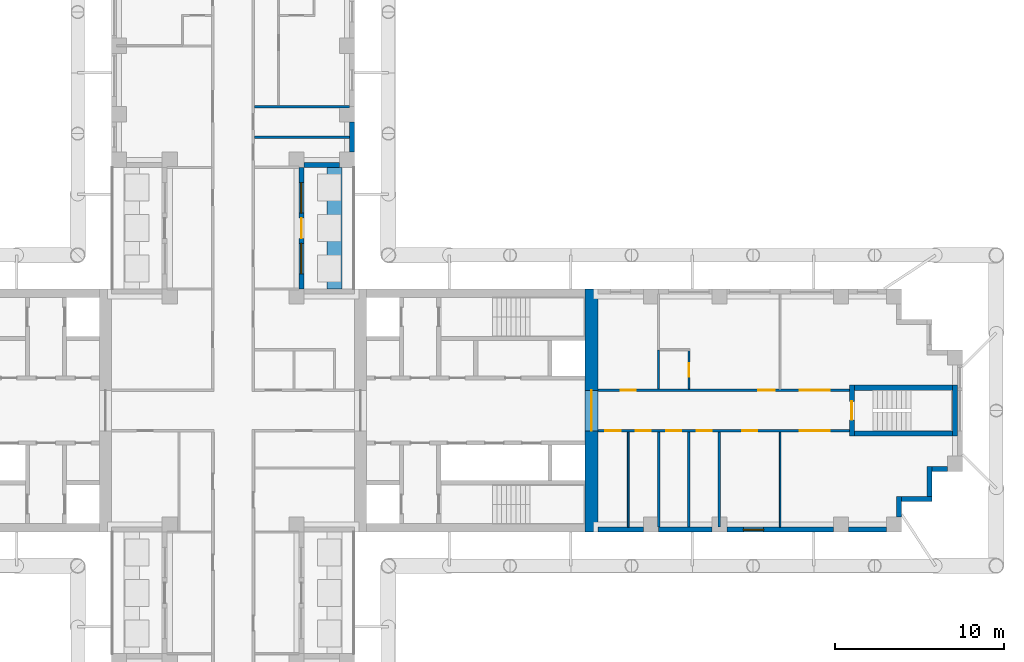
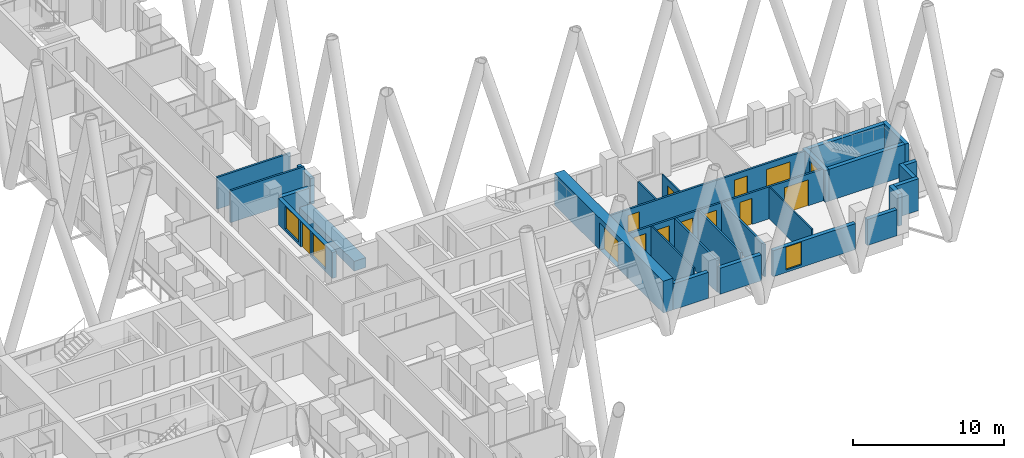
# One storey, part 10 of 16: 28 walls, 13 doors, 3 windows, 16 openings.
"""IFC4 building model written with IfcOpenShell, lengths in metres."""

from ifc_helpers import new_model, si_unit, direction, frame, frame_2d, origin, place, context, subcontext, project, spatial, rectangle, extrude, material, layer, layer_set, type_object, element, fill, save


model = new_model("IFC4")

# Units and contexts
model_context = context("Model", 3, precision=1e-05, world=origin(), true_north=direction((0.0, 1.0)))
body_context = subcontext(model_context, "Body", "Model", "MODEL_VIEW")
ifc_project = project(units=[si_unit("LENGTHUNIT", "METRE"), si_unit("AREAUNIT", "SQUARE_METRE"), si_unit("VOLUMEUNIT", "CUBIC_METRE"), si_unit("PLANEANGLEUNIT", "RADIAN"), si_unit("MASSUNIT", "GRAM", prefix="KILO")], contexts=[model_context])

# Site, building, storey
site_placement = place(None, origin())
site = spatial("IfcSite", under=ifc_project, at=site_placement, CompositionType="ELEMENT")
building_placement = place(site_placement, origin())
building = spatial("IfcBuilding", under=site, at=building_placement, Name="Fustian Cross Tower", CompositionType="ELEMENT")
storey_placement = place(building_placement, frame((0.0, 0.0, 44.699951171875)))
storey = spatial("IfcBuildingStorey", under=building, at=storey_placement, Name="L13", CompositionType="ELEMENT", Elevation=44.699951171875)

# Walls
ifc_material_1 = material(Name="Plasterboard on steel stud", Category="steel")
ifc_layer_1 = layer(ifc_material_1, 0.14990234375)
ifc_layer_set_1 = layer_set([ifc_layer_1], Name="Plasterboard on steel stud")
wall_type_1 = type_object("IfcWallType", Name="COMPARTMENT WALL 150 EI 60", PredefinedType="PARTITIONING", material=ifc_layer_set_1)
for number, where, z_axis, x_axis, name in (
    (1, (1.27490234375, 16.199951171875, 0.0), (0.0, 0.0, 1.0), (1.0, 0.0, 0.0), "Partition 56"),
    (2, (1.27490234375, 18.0, 0.0), (0.0, 0.0, 1.0), (1.0, 0.0, 0.0), "Partition 57"),
):
    element("IfcWall", number, at=place(storey_placement, frame(where, z_axis=z_axis, x_axis=x_axis)), inside=storey, type_object=wall_type_1, Name=name, PredefinedType="PARTITIONING", context=body_context, shape_type="SweptSolid", body=[
        extrude(rectangle(XDim=5.625, YDim=0.14990234375, at=frame_2d((2.8125, 0.0))), origin(), (0.0, 0.0, 1.0), 2.574951171875),
    ])

# Wall, openings, doors
wall_1_placement = place(storey_placement, frame((21.60009765625, -1.199951171875, 0.0), z_axis=(0.0, 0.0, 1.0), x_axis=(1.0, 0.0, 0.0)))
wall_1 = element("IfcWall", 3, at=wall_1_placement, inside=storey, type_object=wall_type_1, Name="Partition 77", PredefinedType="PARTITIONING", context=body_context, shape_type="SweptSolid", body=[
    extrude(rectangle(XDim=14.89990234375, YDim=0.14990234375, at=frame_2d((7.449951171875, 0.0))), origin(), (0.0, 0.0, 1.0), 2.574951171875),
])
opening_1_placement = place(wall_1_placement, frame((0.449951171875, 0.0, 0.0)))
opening_1 = element("IfcOpeningElement", 4, at=opening_1_placement, cuts=wall_1, Name="Opening D08013", PredefinedType="OPENING", context=body_context, shape_type="SweptSolid", body=[
    extrude(rectangle(XDim=0.89990234375, YDim=2.10009765625, at=frame_2d((0.449951171875, 1.050048828125))), frame((0.0, 0.0849609375, 0.0), z_axis=(0.0, -1.0, 0.0), x_axis=(1.0, 0.0, 0.0)), (0.0, 0.0, 1.0), 0.169921875),
])
opening_2_placement = place(wall_1_placement, frame((2.25, 0.0, 0.0)))
opening_2 = element("IfcOpeningElement", 5, at=opening_2_placement, cuts=wall_1, Name="Opening D08014", PredefinedType="OPENING", context=body_context, shape_type="SweptSolid", body=[
    extrude(rectangle(XDim=0.89990234375, YDim=2.10009765625, at=frame_2d((0.449951171875, 1.050048828125))), frame((0.0, 0.0849609375, 0.0), z_axis=(0.0, -1.0, 0.0), x_axis=(1.0, 0.0, 0.0)), (0.0, 0.0, 1.0), 0.169921875),
])
opening_3_placement = place(wall_1_placement, frame((4.050048828125, 0.0, 0.0)))
opening_3 = element("IfcOpeningElement", 6, at=opening_3_placement, cuts=wall_1, Name="Opening D08015", PredefinedType="OPENING", context=body_context, shape_type="SweptSolid", body=[
    extrude(rectangle(XDim=0.89990234375, YDim=2.10009765625, at=frame_2d((0.449951171875, 1.050048828125))), frame((0.0, 0.0849609375, 0.0), z_axis=(0.0, -1.0, 0.0), x_axis=(1.0, 0.0, 0.0)), (0.0, 0.0, 1.0), 0.169921875),
])
opening_4_placement = place(wall_1_placement, frame((5.85009765625, 0.0, 0.0)))
opening_4 = element("IfcOpeningElement", 7, at=opening_4_placement, cuts=wall_1, Name="Opening D08016", PredefinedType="OPENING", context=body_context, shape_type="SweptSolid", body=[
    extrude(rectangle(XDim=0.89990234375, YDim=2.10009765625, at=frame_2d((0.449951171875, 1.050048828125))), frame((0.0, 0.0849609375, 0.0), z_axis=(0.0, -1.0, 0.0), x_axis=(1.0, 0.0, 0.0)), (0.0, 0.0, 1.0), 0.169921875),
])
opening_5_placement = place(wall_1_placement, frame((8.550048828125, 0.0, 0.0)))
opening_5 = element("IfcOpeningElement", 8, at=opening_5_placement, cuts=wall_1, Name="Opening D08017", PredefinedType="OPENING", context=body_context, shape_type="SweptSolid", body=[
    extrude(rectangle(XDim=0.89990234375, YDim=2.10009765625, at=frame_2d((0.449951171875, 1.050048828125))), frame((0.0, 0.0849609375, 0.0), z_axis=(0.0, -1.0, 0.0), x_axis=(1.0, 0.0, 0.0)), (0.0, 0.0, 1.0), 0.169921875),
])
opening_6_placement = place(wall_1_placement, frame((11.949951171875, 0.0, 0.0)))
opening_6 = element("IfcOpeningElement", 9, at=opening_6_placement, cuts=wall_1, Name="Opening D08018", PredefinedType="OPENING", context=body_context, shape_type="SweptSolid", body=[
    extrude(rectangle(XDim=1.800048828125, YDim=2.10009765625, at=frame_2d((0.89990234375, 1.050048828125))), frame((0.0, 0.0849609375, 0.0), z_axis=(0.0, -1.0, 0.0), x_axis=(1.0, 0.0, 0.0)), (0.0, 0.0, 1.0), 0.169921875),
])
ifc_material_2 = material(Name="Timber fire door set", Category="wood")
door_type_1 = type_object("IfcDoorType", Name="FIRE DOUBLE DOOR 1800 FD30S", OperationType="DOUBLE_DOOR_DOUBLE_SWING", PredefinedType="DOOR", material=ifc_material_2)
door_1_placement = place(opening_6_placement, origin())
door_1 = element("IfcDoor", 10, at=door_1_placement, inside=storey, type_object=door_type_1, Name="Door D08018", OperationType="DOUBLE_DOOR_DOUBLE_SWING", OverallHeight=2.10009765625, OverallWidth=1.800048828125, PredefinedType="DOOR", context=body_context, shape_type="SweptSolid", body=[
    extrude(rectangle(XDim=1.800048828125, YDim=2.10009765625, at=frame_2d((0.89990234375, 1.050048828125))), frame((0.0, 0.02490234375, 0.0), z_axis=(0.0, -1.0, 0.0), x_axis=(1.0, 0.0, 0.0)), (0.0, 0.0, 1.0), 0.050048828125),
])
fill(opening_6, door_1)
ifc_material_3 = material(Name="Timber fire door set", Category="wood")
door_type_2 = type_object("IfcDoorType", Name="FIRE SWING DOOR 900 FD30S", OperationType="SINGLE_SWING_LEFT", PredefinedType="DOOR", material=ifc_material_3)
door_2_placement = place(opening_1_placement, frame((0.89990234375, 0.0, 0.0), z_axis=(0.0, 0.0, 1.0), x_axis=(-1.0, 0.0, 0.0)))
door_2 = element("IfcDoor", 11, at=door_2_placement, inside=storey, type_object=door_type_2, Name="Door D08013", OperationType="SINGLE_SWING_LEFT", OverallHeight=2.10009765625, OverallWidth=0.89990234375, PredefinedType="DOOR", context=body_context, shape_type="SweptSolid", body=[
    extrude(rectangle(XDim=0.89990234375, YDim=2.10009765625, at=frame_2d((0.449951171875, 1.050048828125))), frame((0.0, 0.02490234375, 0.0), z_axis=(0.0, -1.0, 0.0), x_axis=(1.0, 0.0, 0.0)), (0.0, 0.0, 1.0), 0.050048828125),
])
fill(opening_1, door_2)
door_3_placement = place(opening_2_placement, frame((0.89990234375, 0.0, 0.0), z_axis=(0.0, 0.0, 1.0), x_axis=(-1.0, 0.0, 0.0)))
door_3 = element("IfcDoor", 12, at=door_3_placement, inside=storey, type_object=door_type_2, Name="Door D08014", OperationType="SINGLE_SWING_LEFT", OverallHeight=2.10009765625, OverallWidth=0.89990234375, PredefinedType="DOOR", context=body_context, shape_type="SweptSolid", body=[
    extrude(rectangle(XDim=0.89990234375, YDim=2.10009765625, at=frame_2d((0.449951171875, 1.050048828125))), frame((0.0, 0.02490234375, 0.0), z_axis=(0.0, -1.0, 0.0), x_axis=(1.0, 0.0, 0.0)), (0.0, 0.0, 1.0), 0.050048828125),
])
fill(opening_2, door_3)
door_4_placement = place(opening_3_placement, frame((0.89990234375, 0.0, 0.0), z_axis=(0.0, 0.0, 1.0), x_axis=(-1.0, 0.0, 0.0)))
door_4 = element("IfcDoor", 13, at=door_4_placement, inside=storey, type_object=door_type_2, Name="Door D08015", OperationType="SINGLE_SWING_LEFT", OverallHeight=2.10009765625, OverallWidth=0.89990234375, PredefinedType="DOOR", context=body_context, shape_type="SweptSolid", body=[
    extrude(rectangle(XDim=0.89990234375, YDim=2.10009765625, at=frame_2d((0.449951171875, 1.050048828125))), frame((0.0, 0.02490234375, 0.0), z_axis=(0.0, -1.0, 0.0), x_axis=(1.0, 0.0, 0.0)), (0.0, 0.0, 1.0), 0.050048828125),
])
fill(opening_3, door_4)
door_5_placement = place(opening_4_placement, frame((0.89990234375, 0.0, 0.0), z_axis=(0.0, 0.0, 1.0), x_axis=(-1.0, 0.0, 0.0)))
door_5 = element("IfcDoor", 14, at=door_5_placement, inside=storey, type_object=door_type_2, Name="Door D08016", OperationType="SINGLE_SWING_LEFT", OverallHeight=2.10009765625, OverallWidth=0.89990234375, PredefinedType="DOOR", context=body_context, shape_type="SweptSolid", body=[
    extrude(rectangle(XDim=0.89990234375, YDim=2.10009765625, at=frame_2d((0.449951171875, 1.050048828125))), frame((0.0, 0.02490234375, 0.0), z_axis=(0.0, -1.0, 0.0), x_axis=(1.0, 0.0, 0.0)), (0.0, 0.0, 1.0), 0.050048828125),
])
fill(opening_4, door_5)
door_6_placement = place(opening_5_placement, frame((0.89990234375, 0.0, 0.0), z_axis=(0.0, 0.0, 1.0), x_axis=(-1.0, 0.0, 0.0)))
door_6 = element("IfcDoor", 15, at=door_6_placement, inside=storey, type_object=door_type_2, Name="Door D08017", OperationType="SINGLE_SWING_RIGHT", OverallHeight=2.10009765625, OverallWidth=0.89990234375, PredefinedType="DOOR", context=body_context, shape_type="SweptSolid", body=[
    extrude(rectangle(XDim=0.89990234375, YDim=2.10009765625, at=frame_2d((0.449951171875, 1.050048828125))), frame((0.0, 0.02490234375, 0.0), z_axis=(0.0, -1.0, 0.0), x_axis=(1.0, 0.0, 0.0)), (0.0, 0.0, 1.0), 0.050048828125),
])
fill(opening_5, door_6)

wall_2_placement = place(storey_placement, frame((21.60009765625, 1.199951171875, 0.0), z_axis=(0.0, 0.0, 1.0), x_axis=(1.0, 0.0, 0.0)))
wall_2 = element("IfcWall", 16, at=wall_2_placement, inside=storey, type_object=wall_type_1, Name="Partition 78", PredefinedType="PARTITIONING", context=body_context, shape_type="SweptSolid", body=[
    extrude(rectangle(XDim=14.89990234375, YDim=0.14990234375, at=frame_2d((7.449951171875, 0.0))), origin(), (0.0, 0.0, 1.0), 2.574951171875),
])
opening_7_placement = place(wall_2_placement, frame((1.35009765625, 0.0, 0.0)))
opening_7 = element("IfcOpeningElement", 17, at=opening_7_placement, cuts=wall_2, Name="Opening D08009", PredefinedType="OPENING", context=body_context, shape_type="SweptSolid", body=[
    extrude(rectangle(XDim=0.89990234375, YDim=2.10009765625, at=frame_2d((0.449951171875, 1.050048828125))), frame((0.0, 0.0849609375, 0.0), z_axis=(0.0, -1.0, 0.0), x_axis=(1.0, 0.0, 0.0)), (0.0, 0.0, 1.0), 0.169921875),
])
opening_8_placement = place(wall_2_placement, frame((9.489990234375, 0.0, 0.0)))
opening_8 = element("IfcOpeningElement", 18, at=opening_8_placement, cuts=wall_2, Name="Opening D08011", PredefinedType="OPENING", context=body_context, shape_type="SweptSolid", body=[
    extrude(rectangle(XDim=1.0, YDim=2.10009765625, at=frame_2d((0.5, 1.050048828125))), frame((0.0, 0.0849609375, 0.0), z_axis=(0.0, -1.0, 0.0), x_axis=(1.0, 0.0, 0.0)), (0.0, 0.0, 1.0), 0.169921875),
])
opening_9_placement = place(wall_2_placement, frame((11.949951171875, 0.0, 0.0)))
opening_9 = element("IfcOpeningElement", 19, at=opening_9_placement, cuts=wall_2, Name="Opening D08012", PredefinedType="OPENING", context=body_context, shape_type="SweptSolid", body=[
    extrude(rectangle(XDim=1.800048828125, YDim=2.10009765625, at=frame_2d((0.89990234375, 1.050048828125))), frame((0.0, 0.0849609375, 0.0), z_axis=(0.0, -1.0, 0.0), x_axis=(1.0, 0.0, 0.0)), (0.0, 0.0, 1.0), 0.169921875),
])
door_7_placement = place(opening_9_placement, frame((1.800048828125, 0.0, 0.0), z_axis=(0.0, 0.0, 1.0), x_axis=(-1.0, 0.0, 0.0)))
door_7 = element("IfcDoor", 20, at=door_7_placement, inside=storey, type_object=door_type_1, Name="Door D08012", OperationType="DOUBLE_DOOR_DOUBLE_SWING", OverallHeight=2.10009765625, OverallWidth=1.800048828125, PredefinedType="DOOR", context=body_context, shape_type="SweptSolid", body=[
    extrude(rectangle(XDim=1.800048828125, YDim=2.10009765625, at=frame_2d((0.89990234375, 1.050048828125))), frame((0.0, 0.02490234375, 0.0), z_axis=(0.0, -1.0, 0.0), x_axis=(1.0, 0.0, 0.0)), (0.0, 0.0, 1.0), 0.050048828125),
])
fill(opening_9, door_7)
ifc_material_4 = material(Name="Timber fire door set", Category="wood")
door_type_3 = type_object("IfcDoorType", Name="FIRE SWING DOOR 1000 FD30S", OperationType="SINGLE_SWING_LEFT", PredefinedType="DOOR", material=ifc_material_4)
door_8_placement = place(opening_8_placement, origin())
door_8 = element("IfcDoor", 21, at=door_8_placement, inside=storey, type_object=door_type_3, Name="Door D08011", OperationType="SINGLE_SWING_RIGHT", OverallHeight=2.10009765625, OverallWidth=1.0, PredefinedType="DOOR", context=body_context, shape_type="SweptSolid", body=[
    extrude(rectangle(XDim=1.0, YDim=2.10009765625, at=frame_2d((0.5, 1.050048828125))), frame((0.0, 0.02490234375, 0.0), z_axis=(0.0, -1.0, 0.0), x_axis=(1.0, 0.0, 0.0)), (0.0, 0.0, 1.0), 0.050048828125),
])
fill(opening_8, door_8)
door_9_placement = place(opening_7_placement, origin())
door_9 = element("IfcDoor", 22, at=door_9_placement, inside=storey, type_object=door_type_2, Name="Door D08009", OperationType="SINGLE_SWING_LEFT", OverallHeight=2.10009765625, OverallWidth=0.89990234375, PredefinedType="DOOR", context=body_context, shape_type="SweptSolid", body=[
    extrude(rectangle(XDim=0.89990234375, YDim=2.10009765625, at=frame_2d((0.449951171875, 1.050048828125))), frame((0.0, 0.02490234375, 0.0), z_axis=(0.0, -1.0, 0.0), x_axis=(1.0, 0.0, 0.0)), (0.0, 0.0, 1.0), 0.050048828125),
])
fill(opening_7, door_9)

# Walls
for number, where, z_axis, x_axis, name in (
    (23, (25.199951171875, -6.89990234375, 0.0), (0.0, 0.0, 1.0), (0.0, 1.0, 0.0), "Partition 80"),
    (24, (27.0, -6.89990234375, 0.0), (0.0, 0.0, 1.0), (0.0, 1.0, 0.0), "Partition 84"),
    (25, (28.800048828125, -6.89990234375, 0.0), (0.0, 0.0, 1.0), (0.0, 1.0, 0.0), "Partition 86"),
):
    element("IfcWall", number, at=place(storey_placement, frame(where, z_axis=z_axis, x_axis=x_axis)), inside=storey, type_object=wall_type_1, Name=name, PredefinedType="PARTITIONING", context=body_context, shape_type="SweptSolid", body=[
        extrude(rectangle(XDim=5.625, YDim=0.14990234375, at=frame_2d((2.8125, 0.0))), origin(), (0.0, 0.0, 1.0), 2.574951171875),
    ])

# Wall, opening, door
ifc_material_5 = material(Name="Concrete C80/95", Category="concrete")
ifc_layer_2 = layer(ifc_material_5, 0.75)
ifc_layer_set_2 = layer_set([ifc_layer_2], Name="Concrete C80/95")
wall_type_2 = type_object("IfcWallType", Name="CORE END WALL 750 C80/95", PredefinedType="SHEAR", material=ifc_layer_set_2)
wall_3_placement = place(storey_placement, frame((21.22509765625, -7.199951171875, 0.0), z_axis=(0.0, 0.0, 1.0), x_axis=(0.0, 1.0, 0.0)))
wall_3 = element("IfcWall", 26, at=wall_3_placement, inside=storey, type_object=wall_type_2, Name="Core end wall", PredefinedType="SHEAR", context=body_context, shape_type="SweptSolid", body=[
    extrude(rectangle(XDim=14.39990234375, YDim=0.75, at=frame_2d((7.199951171875, 0.0))), origin(), (0.0, 0.0, 1.0), 2.574951171875),
])
opening_10_placement = place(wall_3_placement, frame((6.0, 0.0, 0.0)))
opening_10 = element("IfcOpeningElement", 27, at=opening_10_placement, cuts=wall_3, Name="Opening CD-05-13", PredefinedType="OPENING", context=body_context, shape_type="SweptSolid", body=[
    extrude(rectangle(XDim=2.39990234375, YDim=2.199951171875, at=frame_2d((1.199951171875, 1.10009765625))), frame((0.0, 0.385009765625, 0.0), z_axis=(0.0, -1.0, 0.0), x_axis=(1.0, 0.0, 0.0)), (0.0, 0.0, 1.0), 0.77001953125),
])
ifc_material_6 = material(Name="Steel", Category="steel")
door_type_4 = type_object("IfcDoorType", Name="FIRE DOOR FD30S DOUBLE 2400X2200", OperationType="DOUBLE_DOOR_DOUBLE_SWING", PredefinedType="DOOR", material=ifc_material_6)
door_10_placement = place(opening_10_placement, origin())
door_10 = element("IfcDoor", 28, at=door_10_placement, inside=storey, type_object=door_type_4, Name="Core door CD-05-13", OperationType="DOUBLE_DOOR_DOUBLE_SWING", OverallHeight=2.199951171875, OverallWidth=2.39990234375, PredefinedType="DOOR", context=body_context, shape_type="SweptSolid", body=[
    extrude(rectangle(XDim=2.39990234375, YDim=2.199951171875, at=frame_2d((1.199951171875, 1.10009765625))), frame((0.0, 0.02490234375, 0.0), z_axis=(0.0, -1.0, 0.0), x_axis=(1.0, 0.0, 0.0)), (0.0, 0.0, 1.0), 0.050048828125),
])
fill(opening_10, door_10)

# Wall
ifc_material_7 = material(Name="Plasterboard on steel stud", Category="steel")
ifc_layer_3 = layer(ifc_material_7, 0.10009765625)
ifc_layer_set_3 = layer_set([ifc_layer_3], Name="Plasterboard on steel stud")
wall_type_3 = type_object("IfcWallType", Name="PARTITION 100 STUD", PredefinedType="PARTITIONING", material=ifc_layer_set_3)
wall_4_placement = place(storey_placement, frame((23.39990234375, -6.89990234375, 0.0), z_axis=(0.0, 0.0, 1.0), x_axis=(0.0, 1.0, 0.0)))
element("IfcWall", 29, at=wall_4_placement, inside=storey, type_object=wall_type_3, Name="Partition 79", PredefinedType="PARTITIONING", context=body_context, shape_type="SweptSolid", body=[
    extrude(rectangle(XDim=5.625, YDim=0.10009765625, at=frame_2d((2.8125, 0.0))), origin(), (0.0, 0.0, 1.0), 2.574951171875),
])

# Wall, opening, door
wall_5_placement = place(storey_placement, frame((27.0, 1.27490234375, 0.0), z_axis=(0.0, 0.0, 1.0), x_axis=(0.0, 1.0, 0.0)))
wall_5 = element("IfcWall", 30, at=wall_5_placement, inside=storey, type_object=wall_type_3, Name="Partition 85", PredefinedType="PARTITIONING", context=body_context, shape_type="SweptSolid", body=[
    extrude(rectangle(XDim=2.275146484375, YDim=0.10009765625, at=frame_2d((1.1376953125, 0.0))), origin(), (0.0, 0.0, 1.0), 2.574951171875),
])
opening_11_placement = place(wall_5_placement, frame((0.72509765625, 0.0, 0.0)))
opening_11 = element("IfcOpeningElement", 31, at=opening_11_placement, cuts=wall_5, Name="Opening D08010", PredefinedType="OPENING", context=body_context, shape_type="SweptSolid", body=[
    extrude(rectangle(XDim=0.800048828125, YDim=2.10009765625, at=frame_2d((0.39990234375, 1.050048828125))), frame((0.0, 0.06005859375, 0.0), z_axis=(0.0, -1.0, 0.0), x_axis=(1.0, 0.0, 0.0)), (0.0, 0.0, 1.0), 0.1201171875),
])
ifc_material_8 = material(Name="Painted timber", Category="wood")
door_type_5 = type_object("IfcDoorType", Name="SWING DOOR 800", OperationType="SINGLE_SWING_LEFT", PredefinedType="DOOR", material=ifc_material_8)
door_11_placement = place(opening_11_placement, origin())
door_11 = element("IfcDoor", 32, at=door_11_placement, inside=storey, type_object=door_type_5, Name="Door D08010", OperationType="SINGLE_SWING_LEFT", OverallHeight=2.10009765625, OverallWidth=0.800048828125, PredefinedType="DOOR", context=body_context, shape_type="SweptSolid", body=[
    extrude(rectangle(XDim=0.800048828125, YDim=2.10009765625, at=frame_2d((0.39990234375, 1.050048828125))), frame((0.0, 0.02490234375, 0.0), z_axis=(0.0, -1.0, 0.0), x_axis=(1.0, 0.0, 0.0)), (0.0, 0.0, 1.0), 0.050048828125),
])
fill(opening_11, door_11)

# Walls
wall_6_placement = place(storey_placement, frame((32.39990234375, -6.89990234375, 0.0), z_axis=(0.0, 0.0, 1.0), x_axis=(0.0, 1.0, 0.0)))
element("IfcWall", 33, at=wall_6_placement, inside=storey, type_object=wall_type_3, Name="Partition 87", PredefinedType="PARTITIONING", context=body_context, shape_type="SweptSolid", body=[
    extrude(rectangle(XDim=5.625, YDim=0.10009765625, at=frame_2d((2.8125, 0.0))), origin(), (0.0, 0.0, 1.0), 2.574951171875),
])
ifc_material_9 = material(Name="Concrete C40/50", Category="concrete")
ifc_layer_4 = layer(ifc_material_9, 0.89990234375)
ifc_layer_set_4 = layer_set([ifc_layer_4], Name="Concrete C40/50")
wall_type_4 = type_object("IfcWallType", Name="PK1 PLANTER 900", PredefinedType="PARAPET", material=ifc_layer_set_4)
wall_7_placement = place(storey_placement, frame((6.0, 7.199951171875, 0.0), z_axis=(0.0, 0.0, 1.0), x_axis=(0.0, 1.0, 0.0)))
element("IfcWall", 34, at=wall_7_placement, inside=storey, type_object=wall_type_4, Name="PLANTER", PredefinedType="PARAPET", context=body_context, shape_type="SweptSolid", body=[
    extrude(rectangle(XDim=7.199951171875, YDim=0.89990234375, at=frame_2d((3.60009765625, 0.0))), origin(), (0.0, 0.0, 1.0), 0.800048828125),
])

# Wall, opening, door
ifc_material_10 = material(Name="Concrete C50/60", Category="concrete")
ifc_layer_5 = layer(ifc_material_10, 0.300048828125)
ifc_layer_set_5 = layer_set([ifc_layer_5], Name="Concrete C50/60")
wall_type_5 = type_object("IfcWallType", Name="STAIR ENCLOSURE WALL 300 C50/60", PredefinedType="SHEAR", material=ifc_layer_set_5)
wall_8_placement = place(storey_placement, frame((36.64990234375, -1.5, 0.0), z_axis=(0.0, 0.0, 1.0), x_axis=(0.0, 1.0, 0.0)))
wall_8 = element("IfcWall", 35, at=wall_8_placement, inside=storey, type_object=wall_type_5, Name="Stair enclosure wall", PredefinedType="SHEAR", context=body_context, shape_type="SweptSolid", body=[
    extrude(rectangle(XDim=3.0, YDim=0.300048828125, at=frame_2d((1.5, 0.0))), origin(), (0.0, 0.0, 1.0), 2.574951171875),
])
opening_12_placement = place(wall_8_placement, frame((0.949951171875, 0.0, 0.0)))
opening_12 = element("IfcOpeningElement", 36, at=opening_12_placement, cuts=wall_8, Name="Opening CD-05-33", PredefinedType="OPENING", context=body_context, shape_type="SweptSolid", body=[
    extrude(rectangle(XDim=1.10009765625, YDim=2.10009765625, at=frame_2d((0.550048828125, 1.050048828125))), frame((0.0, 0.159912109375, 0.0), z_axis=(0.0, -1.0, 0.0), x_axis=(1.0, 0.0, 0.0)), (0.0, 0.0, 1.0), 0.320068359375),
])
ifc_material_11 = material(Name="Steel", Category="steel")
door_type_6 = type_object("IfcDoorType", Name="FIRE DOOR FD60S 1100X2100", OperationType="SINGLE_SWING_LEFT", PredefinedType="DOOR", material=ifc_material_11)
door_12_placement = place(opening_12_placement, frame((1.10009765625, 0.0, 0.0), z_axis=(0.0, 0.0, 1.0), x_axis=(-1.0, 0.0, 0.0)))
door_12 = element("IfcDoor", 37, at=door_12_placement, inside=storey, type_object=door_type_6, Name="Core door CD-05-33", OperationType="SINGLE_SWING_RIGHT", OverallHeight=2.10009765625, OverallWidth=1.10009765625, PredefinedType="DOOR", context=body_context, shape_type="SweptSolid", body=[
    extrude(rectangle(XDim=1.10009765625, YDim=2.10009765625, at=frame_2d((0.550048828125, 1.050048828125))), frame((0.0, 0.02490234375, 0.0), z_axis=(0.0, -1.0, 0.0), x_axis=(1.0, 0.0, 0.0)), (0.0, 0.0, 1.0), 0.050048828125),
])
fill(opening_12, door_12)

# Walls
wall_9_placement = place(storey_placement, frame((42.75, -1.5, 0.0), z_axis=(0.0, 0.0, 1.0), x_axis=(0.0, 1.0, 0.0)))
element("IfcWall", 38, at=wall_9_placement, inside=storey, type_object=wall_type_5, Name="Stair enclosure wall", PredefinedType="SHEAR", context=body_context, shape_type="SweptSolid", body=[
    extrude(rectangle(XDim=3.0, YDim=0.300048828125, at=frame_2d((1.5, 0.0))), origin(), (0.0, 0.0, 1.0), 2.574951171875),
])
for number, where, z_axis, x_axis, name in (
    (39, (36.800048828125, -1.35009765625, 0.0), (0.0, 0.0, 1.0), (1.0, 0.0, 0.0), "Stair enclosure wall"),
    (40, (36.800048828125, 1.35009765625, 0.0), (0.0, 0.0, 1.0), (1.0, 0.0, 0.0), "Stair enclosure wall"),
):
    element("IfcWall", number, at=place(storey_placement, frame(where, z_axis=z_axis, x_axis=x_axis)), inside=storey, type_object=wall_type_5, Name=name, PredefinedType="SHEAR", context=body_context, shape_type="SweptSolid", body=[
        extrude(rectangle(XDim=5.800048828125, YDim=0.300048828125, at=frame_2d((2.89990234375, 0.0))), origin(), (0.0, 0.0, 1.0), 2.574951171875),
    ])
ifc_material_12 = material(Name="Plasterboard on steel stud", Category="steel")
ifc_layer_6 = layer(ifc_material_12, 0.125)
ifc_layer_set_6 = layer_set([ifc_layer_6], Name="Plasterboard on steel stud")
wall_type_6 = type_object("IfcWallType", Name="WET WALL 125 STUD", PredefinedType="PARTITIONING", material=ifc_layer_set_6)
wall_10_placement = place(storey_placement, frame((25.199951171875, 1.27490234375, 0.0), z_axis=(0.0, 0.0, 1.0), x_axis=(0.0, 1.0, 0.0)))
element("IfcWall", 41, at=wall_10_placement, inside=storey, type_object=wall_type_6, Name="Partition 81", PredefinedType="PARTITIONING", context=body_context, shape_type="SweptSolid", body=[
    extrude(rectangle(XDim=2.3251953125, YDim=0.125, at=frame_2d((1.16259765625, 0.0))), origin(), (0.0, 0.0, 1.0), 2.574951171875),
])
ifc_material_13 = material(Name="Dark aluminium cladding on insulated backing wall", Category="aluminium")
ifc_layer_7 = layer(ifc_material_13, 0.300048828125)
ifc_layer_set_7 = layer_set([ifc_layer_7], Name="Dark aluminium cladding on insulated backing wall")
wall_type_7 = type_object("IfcWallType", Name="XW1 EXTERNAL WALL 300", PredefinedType="SOLIDWALL", material=ifc_layer_set_7)
wall_11_placement = place(storey_placement, frame((21.60009765625, -7.050048828125, 0.0), z_axis=(0.0, 0.0, 1.0), x_axis=(1.0, 0.0, 0.0)))
element("IfcWall", 42, at=wall_11_placement, inside=storey, type_object=wall_type_7, Name="External wall", PredefinedType="SOLIDWALL", context=body_context, shape_type="SweptSolid", body=[
    extrude(rectangle(XDim=2.699951171875, YDim=0.300048828125, at=frame_2d((1.35009765625, 0.0))), origin(), (0.0, 0.0, 1.0), 2.10009765625),
])
wall_12_placement = place(storey_placement, frame((25.199951171875, -7.050048828125, 0.0), z_axis=(0.0, 0.0, 1.0), x_axis=(1.0, 0.0, 0.0)))
element("IfcWall", 43, at=wall_12_placement, inside=storey, type_object=wall_type_7, Name="External wall", PredefinedType="SOLIDWALL", context=body_context, shape_type="SweptSolid", body=[
    extrude(rectangle(XDim=3.150146484375, YDim=0.300048828125, at=frame_2d((1.5751953125, 0.0))), origin(), (0.0, 0.0, 1.0), 2.10009765625),
])

# Wall, opening, window
wall_13_placement = place(storey_placement, frame((29.25, -7.050048828125, 0.0), z_axis=(0.0, 0.0, 1.0), x_axis=(1.0, 0.0, 0.0)))
wall_13 = element("IfcWall", 44, at=wall_13_placement, inside=storey, type_object=wall_type_7, Name="External wall", PredefinedType="SOLIDWALL", context=body_context, shape_type="SweptSolid", body=[
    extrude(rectangle(XDim=6.300048828125, YDim=0.300048828125, at=frame_2d((3.14990234375, 0.0))), origin(), (0.0, 0.0, 1.0), 2.10009765625),
])
opening_13_placement = place(wall_13_placement, frame((0.97509765625, 0.0, 0.199951171875)))
opening_13 = element("IfcOpeningElement", 45, at=opening_13_placement, cuts=wall_13, Name="Opening WN3", PredefinedType="OPENING", context=body_context, shape_type="SweptSolid", body=[
    extrude(rectangle(XDim=1.199951171875, YDim=1.85009765625, at=frame_2d((0.60009765625, 0.925048828125))), frame((0.0, 0.159912109375, 0.0), z_axis=(0.0, -1.0, 0.0), x_axis=(1.0, 0.0, 0.0)), (0.0, 0.0, 1.0), 0.320068359375),
])
ifc_material_14 = material(Name="Dark anodised aluminium and double glazing", Category="aluminium")
window_type_1 = type_object("IfcWindowType", Name="WN3 WINDOW 1200X1850", PartitioningType="SINGLE_PANEL", PredefinedType="WINDOW", material=ifc_material_14)
window_1_placement = place(opening_13_placement, origin())
window_1 = element("IfcWindow", 46, at=window_1_placement, inside=storey, type_object=window_type_1, Name="Window", OverallHeight=1.85009765625, OverallWidth=1.199951171875, PartitioningType="SINGLE_PANEL", PredefinedType="WINDOW", context=body_context, shape_type="SweptSolid", body=[
    extrude(rectangle(XDim=1.199951171875, YDim=1.85009765625, at=frame_2d((0.60009765625, 0.925048828125))), frame((0.0, 0.030029296875, 0.0), z_axis=(0.0, -1.0, 0.0), x_axis=(1.0, 0.0, 0.0)), (0.0, 0.0, 1.0), 0.06005859375),
])
fill(opening_13, window_1)

# Walls
wall_14_placement = place(storey_placement, frame((36.449951171875, -7.050048828125, 0.0), z_axis=(0.0, 0.0, 1.0), x_axis=(1.0, 0.0, 0.0)))
element("IfcWall", 47, at=wall_14_placement, inside=storey, type_object=wall_type_7, Name="External wall", PredefinedType="SOLIDWALL", context=body_context, shape_type="SweptSolid", body=[
    extrude(rectangle(XDim=2.25, YDim=0.300048828125, at=frame_2d((1.125, 0.0))), origin(), (0.0, 0.0, 1.0), 2.10009765625),
])
wall_15_placement = place(storey_placement, frame((39.449951171875, -6.300048828125, 0.0), z_axis=(0.0, 0.0, 1.0), x_axis=(0.0, 1.0, 0.0)))
element("IfcWall", 48, at=wall_15_placement, inside=storey, type_object=wall_type_7, Name="External wall", PredefinedType="SOLIDWALL", context=body_context, shape_type="SweptSolid", body=[
    extrude(rectangle(XDim=1.199951171875, YDim=0.300048828125, at=frame_2d((0.60009765625, 0.0))), origin(), (0.0, 0.0, 1.0), 2.574951171875),
])
wall_16_placement = place(storey_placement, frame((39.60009765625, -5.25, 0.0), z_axis=(0.0, 0.0, 1.0), x_axis=(1.0, 0.0, 0.0)))
element("IfcWall", 49, at=wall_16_placement, inside=storey, type_object=wall_type_7, Name="External wall", PredefinedType="SOLIDWALL", context=body_context, shape_type="SweptSolid", body=[
    extrude(rectangle(XDim=1.7998046875, YDim=0.300048828125, at=frame_2d((0.89990234375, 0.0))), origin(), (0.0, 0.0, 1.0), 2.574951171875),
])
wall_17_placement = place(storey_placement, frame((41.25, -5.10009765625, 0.0), z_axis=(0.0, 0.0, 1.0), x_axis=(0.0, 1.0, 0.0)))
element("IfcWall", 50, at=wall_17_placement, inside=storey, type_object=wall_type_7, Name="External wall", PredefinedType="SOLIDWALL", context=body_context, shape_type="SweptSolid", body=[
    extrude(rectangle(XDim=1.800048828125, YDim=0.300048828125, at=frame_2d((0.89990234375, 0.0))), origin(), (0.0, 0.0, 1.0), 2.574951171875),
])
wall_18_placement = place(storey_placement, frame((41.39990234375, -3.449951171875, 0.0), z_axis=(0.0, 0.0, 1.0), x_axis=(1.0, 0.0, 0.0)))
element("IfcWall", 51, at=wall_18_placement, inside=storey, type_object=wall_type_7, Name="External wall", PredefinedType="SOLIDWALL", context=body_context, shape_type="SweptSolid", body=[
    extrude(rectangle(XDim=0.900146484375, YDim=0.300048828125, at=frame_2d((0.4501953125, 0.0))), origin(), (0.0, 0.0, 1.0), 2.574951171875),
])

# Wall, openings, door, windows
wall_19_placement = place(storey_placement, frame((4.050048828125, 7.199951171875, 0.0), z_axis=(0.0, 0.0, 1.0), x_axis=(0.0, 1.0, 0.0)))
wall_19 = element("IfcWall", 52, at=wall_19_placement, inside=storey, type_object=wall_type_7, Name="External wall", PredefinedType="SOLIDWALL", context=body_context, shape_type="SweptSolid", body=[
    extrude(rectangle(XDim=7.199951171875, YDim=0.300048828125, at=frame_2d((3.60009765625, 0.0))), origin(), (0.0, 0.0, 1.0), 2.10009765625),
])
opening_14_placement = place(wall_19_placement, frame((3.0, 0.0, 0.0)))
opening_14 = element("IfcOpeningElement", 53, at=opening_14_placement, cuts=wall_19, Name="Opening XD1", PredefinedType="OPENING", context=body_context, shape_type="SweptSolid", body=[
    extrude(rectangle(XDim=1.199951171875, YDim=2.050048828125, at=frame_2d((0.60009765625, 1.02490234375))), frame((0.0, 0.159912109375, 0.0), z_axis=(0.0, -1.0, 0.0), x_axis=(1.0, 0.0, 0.0)), (0.0, 0.0, 1.0), 0.320068359375),
])
opening_15_placement = place(wall_19_placement, frame((0.89990234375, 0.0, 0.199951171875)))
opening_15 = element("IfcOpeningElement", 54, at=opening_15_placement, cuts=wall_19, Name="Opening WN2", PredefinedType="OPENING", context=body_context, shape_type="SweptSolid", body=[
    extrude(rectangle(XDim=1.800048828125, YDim=1.85009765625, at=frame_2d((0.89990234375, 0.925048828125))), frame((0.0, 0.159912109375, 0.0), z_axis=(0.0, -1.0, 0.0), x_axis=(1.0, 0.0, 0.0)), (0.0, 0.0, 1.0), 0.320068359375),
])
opening_16_placement = place(wall_19_placement, frame((4.5, 0.0, 0.199951171875)))
opening_16 = element("IfcOpeningElement", 55, at=opening_16_placement, cuts=wall_19, Name="Opening WN2", PredefinedType="OPENING", context=body_context, shape_type="SweptSolid", body=[
    extrude(rectangle(XDim=1.800048828125, YDim=1.85009765625, at=frame_2d((0.89990234375, 0.925048828125))), frame((0.0, 0.159912109375, 0.0), z_axis=(0.0, -1.0, 0.0), x_axis=(1.0, 0.0, 0.0)), (0.0, 0.0, 1.0), 0.320068359375),
])
ifc_material_15 = material(Name="Dark anodised aluminium and double glazing", Category="aluminium")
door_type_7 = type_object("IfcDoorType", Name="ED1 BALCONY DOOR 1200X2050", OperationType="SINGLE_SWING_LEFT", PredefinedType="DOOR", material=ifc_material_15)
door_13_placement = place(opening_14_placement, origin())
door_13 = element("IfcDoor", 56, at=door_13_placement, inside=storey, type_object=door_type_7, Name="Balcony door", OperationType="SINGLE_SWING_LEFT", OverallHeight=2.050048828125, OverallWidth=1.199951171875, PredefinedType="DOOR", context=body_context, shape_type="SweptSolid", body=[
    extrude(rectangle(XDim=1.199951171875, YDim=2.050048828125, at=frame_2d((0.60009765625, 1.02490234375))), frame((0.0, 0.02490234375, 0.0), z_axis=(0.0, -1.0, 0.0), x_axis=(1.0, 0.0, 0.0)), (0.0, 0.0, 1.0), 0.050048828125),
])
fill(opening_14, door_13)
ifc_material_16 = material(Name="Dark anodised aluminium and double glazing", Category="aluminium")
window_type_2 = type_object("IfcWindowType", Name="WN2 WINDOW 1800X1850", PartitioningType="SINGLE_PANEL", PredefinedType="WINDOW", material=ifc_material_16)
window_2_placement = place(opening_15_placement, origin())
window_2 = element("IfcWindow", 57, at=window_2_placement, inside=storey, type_object=window_type_2, Name="Window", OverallHeight=1.85009765625, OverallWidth=1.800048828125, PartitioningType="SINGLE_PANEL", PredefinedType="WINDOW", context=body_context, shape_type="SweptSolid", body=[
    extrude(rectangle(XDim=1.800048828125, YDim=1.85009765625, at=frame_2d((0.89990234375, 0.925048828125))), frame((0.0, 0.030029296875, 0.0), z_axis=(0.0, -1.0, 0.0), x_axis=(1.0, 0.0, 0.0)), (0.0, 0.0, 1.0), 0.06005859375),
])
fill(opening_15, window_2)
window_3_placement = place(opening_16_placement, origin())
window_3 = element("IfcWindow", 58, at=window_3_placement, inside=storey, type_object=window_type_2, Name="Window", OverallHeight=1.85009765625, OverallWidth=1.800048828125, PartitioningType="SINGLE_PANEL", PredefinedType="WINDOW", context=body_context, shape_type="SweptSolid", body=[
    extrude(rectangle(XDim=1.800048828125, YDim=1.85009765625, at=frame_2d((0.89990234375, 0.925048828125))), frame((0.0, 0.030029296875, 0.0), z_axis=(0.0, -1.0, 0.0), x_axis=(1.0, 0.0, 0.0)), (0.0, 0.0, 1.0), 0.06005859375),
])
fill(opening_16, window_3)

# Walls
wall_20_placement = place(storey_placement, frame((4.199951171875, 14.550048828125, 0.0), z_axis=(0.0, 0.0, 1.0), x_axis=(1.0, 0.0, 0.0)))
element("IfcWall", 59, at=wall_20_placement, inside=storey, type_object=wall_type_7, Name="External wall", PredefinedType="SOLIDWALL", context=body_context, shape_type="SweptSolid", body=[
    extrude(rectangle(XDim=2.10009765625, YDim=0.300048828125, at=frame_2d((1.050048828125, 0.0))), origin(), (0.0, 0.0, 1.0), 2.10009765625),
])
wall_21_placement = place(storey_placement, frame((7.050048828125, 15.300048828125, 0.0), z_axis=(0.0, 0.0, 1.0), x_axis=(0.0, 1.0, 0.0)))
element("IfcWall", 60, at=wall_21_placement, inside=storey, type_object=wall_type_7, Name="External wall", PredefinedType="SOLIDWALL", context=body_context, shape_type="SweptSolid", body=[
    extrude(rectangle(XDim=1.800048828125, YDim=0.300048828125, at=frame_2d((0.89990234375, 0.0))), origin(), (0.0, 0.0, 1.0), 2.10009765625),
])

save(model, "model.ifc")
